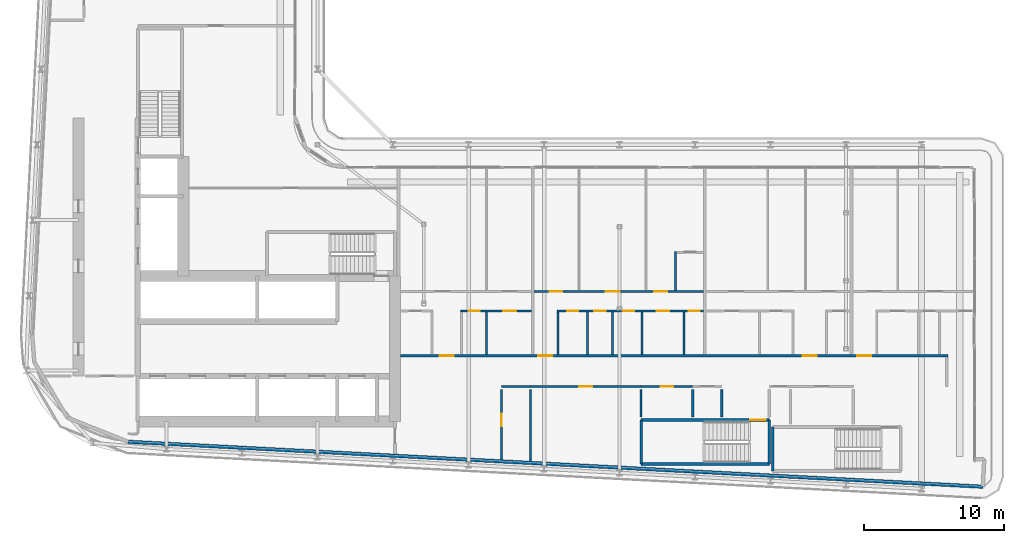
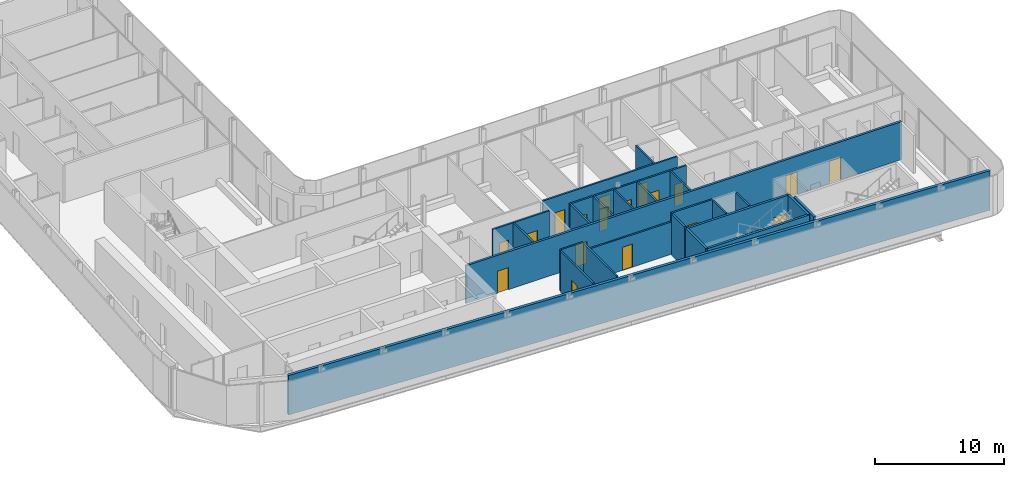
# One storey, part 16 of 29: 25 walls, 18 doors, 18 openings.
"""IFC4 building model written with IfcOpenShell, lengths in metres."""

from ifc_helpers import new_model, si_unit, direction, frame, frame_2d, origin, place, context, subcontext, project, spatial, rectangle, extrude, source, transform, mapped, material, layer, layer_set, type_object, element, fill, save


model = new_model("IFC4")

# Units and contexts
model_context = context("Model", 3, precision=1e-05, world=origin(), true_north=direction((0.0, 1.0)))
body_context = subcontext(model_context, "Body", "Model", "MODEL_VIEW")
ifc_project = project(units=[si_unit("LENGTHUNIT", "METRE"), si_unit("AREAUNIT", "SQUARE_METRE"), si_unit("VOLUMEUNIT", "CUBIC_METRE"), si_unit("PLANEANGLEUNIT", "RADIAN"), si_unit("MASSUNIT", "GRAM", prefix="KILO")], contexts=[model_context])

# Site, building, storey
site_placement = place(None, origin())
site = spatial("IfcSite", under=ifc_project, at=site_placement, CompositionType="ELEMENT")
building_placement = place(site_placement, origin())
building = spatial("IfcBuilding", under=site, at=building_placement, Name="Kheshtan School and Residences Tower", CompositionType="ELEMENT")
storey_placement = place(building_placement, frame((0.0, 0.0, 172.10009765625)))
storey = spatial("IfcBuildingStorey", under=building, at=storey_placement, Name="L40", CompositionType="ELEMENT", Elevation=172.10009765625)

# Wall, openings, doors
ifc_material_1 = material(Name="Gypsum board on steel studs with fire boards", Category="steel")
ifc_layer_1 = layer(ifc_material_1, 0.199951171875)
ifc_layer_set_1 = layer_set([ifc_layer_1], Name="Corridor wall 200")
wall_type_1 = type_object("IfcWallType", Name="Corridor wall 200", PredefinedType="PARTITIONING", material=ifc_layer_set_1)
wall_1_placement = place(storey_placement, frame((53.549072265625, 30.5, 0.0), z_axis=(0.0, 0.0, 1.0), x_axis=(1.0, 0.0, 0.0)))
wall_1 = element("IfcWall", 1, at=wall_1_placement, inside=storey, type_object=wall_type_1, Name="Partition L40-037", PredefinedType="PARTITIONING", context=body_context, shape_type="SweptSolid", body=[
    extrude(rectangle(XDim=39.15087890625, YDim=0.199951171875, at=frame_2d((19.575439453125, 0.0))), origin(), (0.0, 0.0, 1.0), 3.599853515625),
])
opening_1_placement = place(wall_1_placement, frame((2.801025390625, 0.0, 0.0)))
opening_1 = element("IfcOpeningElement", 2, at=opening_1_placement, cuts=wall_1, Name="Opening D39-003", PredefinedType="OPENING", context=body_context, shape_type="SweptSolid", body=[
    extrude(rectangle(XDim=1.0, YDim=2.10009765625, at=frame_2d((0.5, 1.050048828125))), frame((0.0, 0.10986328125, 0.0), z_axis=(0.0, -1.0, 0.0), x_axis=(1.0, 0.0, 0.0)), (0.0, 0.0, 1.0), 0.219970703125),
])
opening_2_placement = place(wall_1_placement, frame((9.85107421875, 0.0, 0.0)))
opening_2 = element("IfcOpeningElement", 3, at=opening_2_placement, cuts=wall_1, Name="Opening D39-010", PredefinedType="OPENING", context=body_context, shape_type="SweptSolid", body=[
    extrude(rectangle(XDim=1.0, YDim=2.10009765625, at=frame_2d((0.5, 1.050048828125))), frame((0.0, 0.10986328125, 0.0), z_axis=(0.0, -1.0, 0.0), x_axis=(1.0, 0.0, 0.0)), (0.0, 0.0, 1.0), 0.219970703125),
])
opening_3_placement = place(wall_1_placement, frame((28.7509765625, 0.0, 0.0)))
opening_3 = element("IfcOpeningElement", 4, at=opening_3_placement, cuts=wall_1, Name="Opening D39-019", PredefinedType="OPENING", context=body_context, shape_type="SweptSolid", body=[
    extrude(rectangle(XDim=1.0, YDim=2.10009765625, at=frame_2d((0.5, 1.050048828125))), frame((0.0, 0.10986328125, 0.0), z_axis=(0.0, -1.0, 0.0), x_axis=(1.0, 0.0, 0.0)), (0.0, 0.0, 1.0), 0.219970703125),
])
opening_4_placement = place(wall_1_placement, frame((32.65087890625, 0.0, 0.0)))
opening_4 = element("IfcOpeningElement", 5, at=opening_4_placement, cuts=wall_1, Name="Opening D39-026", PredefinedType="OPENING", context=body_context, shape_type="SweptSolid", body=[
    extrude(rectangle(XDim=1.0, YDim=2.10009765625, at=frame_2d((0.5, 1.050048828125))), frame((0.0, 0.10986328125, 0.0), z_axis=(0.0, -1.0, 0.0), x_axis=(1.0, 0.0, 0.0)), (0.0, 0.0, 1.0), 0.219970703125),
])
ifc_material_2 = material(Name="Steel-framed fire-resisting door leaf", Category="steel")
door_type_1 = type_object("IfcDoorType", Name="Fire door FD30S 1000 x 2100", OperationType="SINGLE_SWING_LEFT", PredefinedType="DOOR", material=ifc_material_2)
shared_shape_1 = source(origin(), body_context, "Body", "SweptSolid", [
    extrude(rectangle(XDim=1.0, YDim=2.10009765625, at=frame_2d((0.5, 1.050048828125))), frame((0.0, 0.02490234375, 0.0), z_axis=(0.0, -1.0, 0.0), x_axis=(1.0, 0.0, 0.0)), (0.0, 0.0, 1.0), 0.050048828125),
])
door_1_placement = place(opening_1_placement, origin())
door_1 = element("IfcDoor", 6, at=door_1_placement, inside=storey, type_object=door_type_1, Name="Door D39-003", OperationType="SINGLE_SWING_RIGHT", OverallHeight=2.10009765625, OverallWidth=1.0, PredefinedType="DOOR", context=body_context, shape_type="MappedRepresentation", body=[
    mapped(shared_shape_1, transform((0.0, 0.0, 0.0), x_axis=(1.0, 0.0, 0.0), y_axis=(0.0, 1.0, 0.0), z_axis=(0.0, 0.0, 1.0), scale=1.0)),
])
fill(opening_1, door_1)
door_2_placement = place(opening_2_placement, origin())
door_2 = element("IfcDoor", 7, at=door_2_placement, inside=storey, type_object=door_type_1, Name="Door D39-010", OperationType="SINGLE_SWING_LEFT", OverallHeight=2.10009765625, OverallWidth=1.0, PredefinedType="DOOR", context=body_context, shape_type="MappedRepresentation", body=[
    mapped(shared_shape_1, transform((0.0, 0.0, 0.0), x_axis=(1.0, 0.0, 0.0), y_axis=(0.0, 1.0, 0.0), z_axis=(0.0, 0.0, 1.0), scale=1.0)),
])
fill(opening_2, door_2)
door_3_placement = place(opening_3_placement, origin())
door_3 = element("IfcDoor", 8, at=door_3_placement, inside=storey, type_object=door_type_1, Name="Door D39-019", OperationType="SINGLE_SWING_RIGHT", OverallHeight=2.10009765625, OverallWidth=1.0, PredefinedType="DOOR", context=body_context, shape_type="MappedRepresentation", body=[
    mapped(shared_shape_1, transform((0.0, 0.0, 0.0), x_axis=(1.0, 0.0, 0.0), y_axis=(0.0, 1.0, 0.0), z_axis=(0.0, 0.0, 1.0), scale=1.0)),
])
fill(opening_3, door_3)
door_4_placement = place(opening_4_placement, origin())
door_4 = element("IfcDoor", 9, at=door_4_placement, inside=storey, type_object=door_type_1, Name="Door D39-026", OperationType="SINGLE_SWING_LEFT", OverallHeight=2.10009765625, OverallWidth=1.0, PredefinedType="DOOR", context=body_context, shape_type="MappedRepresentation", body=[
    mapped(shared_shape_1, transform((0.0, 0.0, 0.0), x_axis=(1.0, 0.0, 0.0), y_axis=(0.0, 1.0, 0.0), z_axis=(0.0, 0.0, 1.0), scale=1.0)),
])
fill(opening_4, door_4)

# Walls
ifc_material_3 = material(Name="Concrete C40/50 with ceramic cladding and mineral wool insulation", Category="concrete")
ifc_layer_2 = layer(ifc_material_3, 0.25)
ifc_layer_set_2 = layer_set([ifc_layer_2], Name="External wall 250 ceramic clad")
wall_type_2 = type_object("IfcWallType", Name="External wall 250 ceramic clad", PredefinedType="SOLIDWALL", material=ifc_layer_set_2)
wall_2_placement = place(storey_placement, frame((95.18603515625, 21.134033203125, 0.0), z_axis=(0.0, 0.0, 1.0), x_axis=(-0.998617201448, 0.052570761569, 0.0)))
element("IfcWall", 10, at=wall_2_placement, inside=storey, type_object=wall_type_2, Name="External wall L40 16", PredefinedType="SOLIDWALL", context=body_context, shape_type="SweptSolid", body=[
    extrude(rectangle(XDim=61.231689453125, YDim=0.25, at=frame_2d((30.61572265625, 0.0))), origin(), (0.0, 0.0, 1.0), 3.75),
])
ifc_material_4 = material(Name="Fire-board shaft wall system")
ifc_layer_3 = layer(ifc_material_4, 0.14990234375)
ifc_layer_set_3 = layer_set([ifc_layer_3], Name="Service room wall 150")
wall_type_3 = type_object("IfcWallType", Name="Service room wall 150", PredefinedType="PARTITIONING", material=ifc_layer_set_3)
wall_3_placement = place(storey_placement, frame((60.75, 28.300048828125, 0.0), z_axis=(0.0, 0.0, 1.0), x_axis=(1.0, 0.0, 0.0)))
element("IfcWall", 11, at=wall_3_placement, inside=storey, type_object=wall_type_3, Name="Service room wall", PredefinedType="PARTITIONING", context=body_context, shape_type="SweptSolid", body=[
    extrude(rectangle(XDim=2.069091796875, YDim=0.14990234375, at=frame_2d((1.03466796875, 0.0))), origin(), (0.0, 0.0, 1.0), 3.89990234375),
])

# Wall, opening, door
wall_4_placement = place(storey_placement, frame((60.75, 23.074951171875, 0.0), z_axis=(0.0, 0.0, 1.0), x_axis=(0.0, 1.0, 0.0)))
wall_4 = element("IfcWall", 12, at=wall_4_placement, inside=storey, type_object=wall_type_3, Name="Service room wall", PredefinedType="PARTITIONING", context=body_context, shape_type="SweptSolid", body=[
    extrude(rectangle(XDim=5.030029296875, YDim=0.14990234375, at=frame_2d((2.51513671875, 0.0))), origin(), (0.0, 0.0, 1.0), 3.89990234375),
])
opening_5_placement = place(wall_4_placement, frame((2.386962890625, 0.0, 0.0)))
opening_5 = element("IfcOpeningElement", 13, at=opening_5_placement, cuts=wall_4, Name="Opening SR90", PredefinedType="OPENING", context=body_context, shape_type="SweptSolid", body=[
    extrude(rectangle(XDim=0.89990234375, YDim=2.199951171875, at=frame_2d((0.449951171875, 1.10009765625))), frame((0.0, 0.0849609375, 0.0), z_axis=(0.0, -1.0, 0.0), x_axis=(1.0, 0.0, 0.0)), (0.0, 0.0, 1.0), 0.169921875),
])
ifc_material_5 = material(Name="Steel door leaf, galvanised", Category="steel")
door_type_2 = type_object("IfcDoorType", Name="Service room door 900 steel 90 min", OperationType="SINGLE_SWING_LEFT", PredefinedType="DOOR", material=ifc_material_5)
shared_shape_2 = source(origin(), body_context, "Body", "SweptSolid", [
    extrude(rectangle(XDim=0.89990234375, YDim=2.199951171875, at=frame_2d((0.449951171875, 1.10009765625))), frame((0.0, 0.02490234375, 0.0), z_axis=(0.0, -1.0, 0.0), x_axis=(1.0, 0.0, 0.0)), (0.0, 0.0, 1.0), 0.050048828125),
])
door_5_placement = place(opening_5_placement, origin())
door_5 = element("IfcDoor", 14, at=door_5_placement, inside=storey, type_object=door_type_2, Name="Service room door", OperationType="SINGLE_SWING_LEFT", OverallHeight=2.199951171875, OverallWidth=0.89990234375, PredefinedType="DOOR", context=body_context, shape_type="MappedRepresentation", body=[
    mapped(shared_shape_2, transform((0.0, 0.0, 0.0), x_axis=(1.0, 0.0, 0.0), y_axis=(0.0, 1.0, 0.0), z_axis=(0.0, 0.0, 1.0), scale=1.0)),
])
fill(opening_5, door_5)

# Wall
wall_5_placement = place(storey_placement, frame((62.819091796875, 22.966064453125, 0.0), z_axis=(0.0, 0.0, 1.0), x_axis=(0.0, 1.0, 0.0)))
element("IfcWall", 15, at=wall_5_placement, inside=storey, type_object=wall_type_3, Name="Service room wall", PredefinedType="PARTITIONING", context=body_context, shape_type="SweptSolid", body=[
    extrude(rectangle(XDim=5.138916015625, YDim=0.14990234375, at=frame_2d((2.5693359375, 0.0))), origin(), (0.0, 0.0, 1.0), 3.89990234375),
])

# Wall, opening, door
wall_6_placement = place(storey_placement, frame((62.819091796875, 28.300048828125, 0.0), z_axis=(0.0, 0.0, 1.0), x_axis=(1.0, 0.0, 0.0)))
wall_6 = element("IfcWall", 16, at=wall_6_placement, inside=storey, type_object=wall_type_3, Name="Service room wall", PredefinedType="PARTITIONING", context=body_context, shape_type="SweptSolid", body=[
    extrude(rectangle(XDim=7.930908203125, YDim=0.14990234375, at=frame_2d((3.96533203125, 0.0))), origin(), (0.0, 0.0, 1.0), 3.072021484375),
])
opening_6_placement = place(wall_6_placement, frame((3.514892578125, 0.0, 0.0)))
opening_6 = element("IfcOpeningElement", 17, at=opening_6_placement, cuts=wall_6, Name="Opening SR90", PredefinedType="OPENING", context=body_context, shape_type="SweptSolid", body=[
    extrude(rectangle(XDim=0.89990234375, YDim=2.199951171875, at=frame_2d((0.449951171875, 1.10009765625))), frame((0.0, 0.0849609375, 0.0), z_axis=(0.0, -1.0, 0.0), x_axis=(1.0, 0.0, 0.0)), (0.0, 0.0, 1.0), 0.169921875),
])
door_6_placement = place(opening_6_placement, origin())
door_6 = element("IfcDoor", 18, at=door_6_placement, inside=storey, type_object=door_type_2, Name="Service room door", OperationType="SINGLE_SWING_RIGHT", OverallHeight=2.199951171875, OverallWidth=0.89990234375, PredefinedType="DOOR", context=body_context, shape_type="MappedRepresentation", body=[
    mapped(shared_shape_2, transform((0.0, 0.0, 0.0), x_axis=(1.0, 0.0, 0.0), y_axis=(0.0, 1.0, 0.0), z_axis=(0.0, 0.0, 1.0), scale=1.0)),
])
fill(opening_6, door_6)

# Wall
wall_7_placement = place(storey_placement, frame((70.75, 26.1201171875, 0.0), z_axis=(0.0, 0.0, 1.0), x_axis=(0.0, 1.0, 0.0)))
element("IfcWall", 19, at=wall_7_placement, inside=storey, type_object=wall_type_3, Name="Service room wall", PredefinedType="PARTITIONING", context=body_context, shape_type="SweptSolid", body=[
    extrude(rectangle(XDim=1.98486328125, YDim=0.14990234375, at=frame_2d((0.992431640625, 0.0))), origin(), (0.0, 0.0, 1.0), 3.89990234375),
])

# Wall, opening, door
wall_8_placement = place(storey_placement, frame((70.75, 28.300048828125, 0.0), z_axis=(0.0, 0.0, 1.0), x_axis=(1.0, 0.0, 0.0)))
wall_8 = element("IfcWall", 20, at=wall_8_placement, inside=storey, type_object=wall_type_3, Name="Service room wall", PredefinedType="PARTITIONING", context=body_context, shape_type="SweptSolid", body=[
    extrude(rectangle(XDim=3.68603515625, YDim=0.14990234375, at=frame_2d((1.843017578125, 0.0))), origin(), (0.0, 0.0, 1.0), 3.89990234375),
])
opening_7_placement = place(wall_8_placement, frame((1.39306640625, 0.0, 0.0)))
opening_7 = element("IfcOpeningElement", 21, at=opening_7_placement, cuts=wall_8, Name="Opening SR90", PredefinedType="OPENING", context=body_context, shape_type="SweptSolid", body=[
    extrude(rectangle(XDim=0.89990234375, YDim=2.199951171875, at=frame_2d((0.449951171875, 1.10009765625))), frame((0.0, 0.0849609375, 0.0), z_axis=(0.0, -1.0, 0.0), x_axis=(1.0, 0.0, 0.0)), (0.0, 0.0, 1.0), 0.169921875),
])
door_7_placement = place(opening_7_placement, origin())
door_7 = element("IfcDoor", 22, at=door_7_placement, inside=storey, type_object=door_type_2, Name="Service room door", OperationType="SINGLE_SWING_LEFT", OverallHeight=2.199951171875, OverallWidth=0.89990234375, PredefinedType="DOOR", context=body_context, shape_type="MappedRepresentation", body=[
    mapped(shared_shape_2, transform((0.0, 0.0, 0.0), x_axis=(1.0, 0.0, 0.0), y_axis=(0.0, 1.0, 0.0), z_axis=(0.0, 0.0, 1.0), scale=1.0)),
])
fill(opening_7, door_7)

# Walls
for number, where, z_axis, x_axis, name in (
    (23, (74.43603515625, 26.1201171875, 0.0), (0.0, 0.0, 1.0), (0.0, 1.0, 0.0), "Service room wall"),
    (24, (76.510009765625, 26.1201171875, 0.0), (0.0, 0.0, 1.0), (0.0, 1.0, 0.0), "Service room wall"),
):
    element("IfcWall", number, at=place(storey_placement, frame(where, z_axis=z_axis, x_axis=x_axis)), inside=storey, type_object=wall_type_3, Name=name, PredefinedType="PARTITIONING", context=body_context, shape_type="SweptSolid", body=[
        extrude(rectangle(XDim=1.98486328125, YDim=0.14990234375, at=frame_2d((0.992431640625, 0.0))), origin(), (0.0, 0.0, 1.0), 3.89990234375),
    ])
ifc_material_6 = material(Name="Concrete C40/50", Category="concrete")
ifc_layer_4 = layer(ifc_material_6, 0.199951171875)
ifc_layer_set_4 = layer_set([ifc_layer_4], Name="Stair enclosure wall 200 Concrete C40/50")
wall_type_4 = type_object("IfcWallType", Name="Stair enclosure wall 200 Concrete C40/50", PredefinedType="SHEAR", material=ifc_layer_set_4)
wall_9_placement = place(storey_placement, frame((80.159912109375, 22.25, 0.0), z_axis=(0.0, 0.0, 1.0), x_axis=(0.0, 1.0, 0.0)))
element("IfcWall", 25, at=wall_9_placement, inside=storey, type_object=wall_type_4, Name="Stair enclosure wall ST4", PredefinedType="SHEAR", context=body_context, shape_type="SweptSolid", body=[
    extrude(rectangle(XDim=3.14990234375, YDim=0.199951171875, at=frame_2d((1.574951171875, 0.0))), origin(), (0.0, 0.0, 1.0), 3.89990234375),
])
wall_10_placement = place(storey_placement, frame((70.75, 22.75, 0.0), z_axis=(0.0, 0.0, 1.0), x_axis=(1.0, 0.0, 0.0)))
element("IfcWall", 26, at=wall_10_placement, inside=storey, type_object=wall_type_4, Name="Stair enclosure wall ST5", PredefinedType="SHEAR", context=body_context, shape_type="SweptSolid", body=[
    extrude(rectangle(XDim=9.159912109375, YDim=0.199951171875, at=frame_2d((4.580078125, 0.0))), origin(), (0.0, 0.0, 1.0), 3.89990234375),
])

# Wall, opening, door
wall_11_placement = place(storey_placement, frame((70.75, 25.89990234375, 0.0), z_axis=(0.0, 0.0, 1.0), x_axis=(1.0, 0.0, 0.0)))
wall_11 = element("IfcWall", 27, at=wall_11_placement, inside=storey, type_object=wall_type_4, Name="Stair enclosure wall ST5", PredefinedType="SHEAR", context=body_context, shape_type="SweptSolid", body=[
    extrude(rectangle(XDim=9.159912109375, YDim=0.199951171875, at=frame_2d((4.580078125, 0.0))), origin(), (0.0, 0.0, 1.0), 3.89990234375),
])
opening_8_placement = place(wall_11_placement, frame((7.81005859375, 0.0, 0.0)))
opening_8 = element("IfcOpeningElement", 28, at=opening_8_placement, cuts=wall_11, Name="Opening ST5D", PredefinedType="OPENING", context=body_context, shape_type="SweptSolid", body=[
    extrude(rectangle(XDim=1.10009765625, YDim=2.199951171875, at=frame_2d((0.550048828125, 1.10009765625))), frame((0.0, 0.10986328125, 0.0), z_axis=(0.0, -1.0, 0.0), x_axis=(1.0, 0.0, 0.0)), (0.0, 0.0, 1.0), 0.219970703125),
])
door_type_3 = type_object("IfcDoorType", Name="Stair door 1100 steel 90 min", OperationType="SINGLE_SWING_LEFT", PredefinedType="DOOR", material=ifc_material_5)
shared_shape_3 = source(origin(), body_context, "Body", "SweptSolid", [
    extrude(rectangle(XDim=1.10009765625, YDim=2.199951171875, at=frame_2d((0.550048828125, 1.10009765625))), frame((0.0, 0.02490234375, 0.0), z_axis=(0.0, -1.0, 0.0), x_axis=(1.0, 0.0, 0.0)), (0.0, 0.0, 1.0), 0.050048828125),
])
door_8_placement = place(opening_8_placement, origin())
door_8 = element("IfcDoor", 29, at=door_8_placement, inside=storey, type_object=door_type_3, Name="Stair ST5 door", OperationType="SINGLE_SWING_LEFT", OverallHeight=2.199951171875, OverallWidth=1.10009765625, PredefinedType="DOOR", context=body_context, shape_type="MappedRepresentation", body=[
    mapped(shared_shape_3, transform((0.0, 0.0, 0.0), x_axis=(1.0, 0.0, 0.0), y_axis=(0.0, 1.0, 0.0), z_axis=(0.0, 0.0, 1.0), scale=1.0)),
])
fill(opening_8, door_8)

# Walls
for number, where, z_axis, x_axis, name in (
    (30, (70.75, 22.75, 0.0), (0.0, 0.0, 1.0), (0.0, 1.0, 0.0), "Stair enclosure wall ST5"),
    (31, (79.909912109375, 22.75, 0.0), (0.0, 0.0, 1.0), (0.0, 1.0, 0.0), "Stair enclosure wall ST5"),
):
    element("IfcWall", number, at=place(storey_placement, frame(where, z_axis=z_axis, x_axis=x_axis)), inside=storey, type_object=wall_type_4, Name=name, PredefinedType="SHEAR", context=body_context, shape_type="SweptSolid", body=[
        extrude(rectangle(XDim=3.14990234375, YDim=0.199951171875, at=frame_2d((1.574951171875, 0.0))), origin(), (0.0, 0.0, 1.0), 3.89990234375),
    ])

# Wall, openings, doors
ifc_material_7 = material(Name="Moisture-resistant gypsum board on steel studs", Category="steel")
ifc_layer_5 = layer(ifc_material_7, 0.14990234375)
ifc_layer_set_5 = layer_set([ifc_layer_5], Name="Wet-room partition 150")
wall_type_5 = type_object("IfcWallType", Name="Wet-room partition 150", PredefinedType="PARTITIONING", material=ifc_layer_set_5)
wall_12_placement = place(storey_placement, frame((57.824951171875, 33.699951171875, 0.0), z_axis=(0.0, 0.0, 1.0), x_axis=(1.0, 0.0, 0.0)))
wall_12 = element("IfcWall", 32, at=wall_12_placement, inside=storey, type_object=wall_type_5, Name="Partition L40-041", PredefinedType="PARTITIONING", context=body_context, shape_type="SweptSolid", body=[
    extrude(rectangle(XDim=5.074951171875, YDim=0.14990234375, at=frame_2d((2.53759765625, 0.0))), origin(), (0.0, 0.0, 1.0), 3.599853515625),
])
opening_9_placement = place(wall_12_placement, frame((3.074951171875, 0.0, 0.0)))
opening_9 = element("IfcOpeningElement", 33, at=opening_9_placement, cuts=wall_12, Name="Opening D39-004", PredefinedType="OPENING", context=body_context, shape_type="SweptSolid", body=[
    extrude(rectangle(XDim=0.89990234375, YDim=2.10009765625, at=frame_2d((0.449951171875, 1.050048828125))), frame((0.0, 0.0849609375, 0.0), z_axis=(0.0, -1.0, 0.0), x_axis=(1.0, 0.0, 0.0)), (0.0, 0.0, 1.0), 0.169921875),
])
opening_10_placement = place(wall_12_placement, frame((0.574951171875, 0.0, 0.0)))
opening_10 = element("IfcOpeningElement", 34, at=opening_10_placement, cuts=wall_12, Name="Opening D39-006", PredefinedType="OPENING", context=body_context, shape_type="SweptSolid", body=[
    extrude(rectangle(XDim=0.800048828125, YDim=2.10009765625, at=frame_2d((0.39990234375, 1.050048828125))), frame((0.0, 0.0849609375, 0.0), z_axis=(0.0, -1.0, 0.0), x_axis=(1.0, 0.0, 0.0)), (0.0, 0.0, 1.0), 0.169921875),
])
ifc_material_8 = material(Name="Veneered timber door leaf", Category="wood")
door_type_4 = type_object("IfcDoorType", Name="Door 800 x 2100", OperationType="SINGLE_SWING_LEFT", PredefinedType="DOOR", material=ifc_material_8)
shared_shape_4 = source(origin(), body_context, "Body", "SweptSolid", [
    extrude(rectangle(XDim=0.800048828125, YDim=2.10009765625, at=frame_2d((0.39990234375, 1.050048828125))), frame((0.0, 0.02490234375, 0.0), z_axis=(0.0, -1.0, 0.0), x_axis=(1.0, 0.0, 0.0)), (0.0, 0.0, 1.0), 0.050048828125),
])
door_9_placement = place(opening_10_placement, origin())
door_9 = element("IfcDoor", 35, at=door_9_placement, inside=storey, type_object=door_type_4, Name="Door D39-006", OperationType="SINGLE_SWING_LEFT", OverallHeight=2.10009765625, OverallWidth=0.800048828125, PredefinedType="DOOR", context=body_context, shape_type="MappedRepresentation", body=[
    mapped(shared_shape_4, transform((0.0, 0.0, 0.0), x_axis=(1.0, 0.0, 0.0), y_axis=(0.0, 1.0, 0.0), z_axis=(0.0, 0.0, 1.0), scale=1.0)),
])
fill(opening_10, door_9)
door_type_5 = type_object("IfcDoorType", Name="Door 900 x 2100", OperationType="SINGLE_SWING_LEFT", PredefinedType="DOOR", material=ifc_material_8)
shared_shape_5 = source(origin(), body_context, "Body", "SweptSolid", [
    extrude(rectangle(XDim=0.89990234375, YDim=2.10009765625, at=frame_2d((0.449951171875, 1.050048828125))), frame((0.0, 0.02490234375, 0.0), z_axis=(0.0, -1.0, 0.0), x_axis=(1.0, 0.0, 0.0)), (0.0, 0.0, 1.0), 0.050048828125),
])
door_10_placement = place(opening_9_placement, origin())
door_10 = element("IfcDoor", 36, at=door_10_placement, inside=storey, type_object=door_type_5, Name="Door D39-004", OperationType="SINGLE_SWING_RIGHT", OverallHeight=2.10009765625, OverallWidth=0.89990234375, PredefinedType="DOOR", context=body_context, shape_type="MappedRepresentation", body=[
    mapped(shared_shape_5, transform((0.0, 0.0, 0.0), x_axis=(1.0, 0.0, 0.0), y_axis=(0.0, 1.0, 0.0), z_axis=(0.0, 0.0, 1.0), scale=1.0)),
])
fill(opening_9, door_10)

# Wall
wall_13_placement = place(storey_placement, frame((59.699951171875, 30.60009765625, 0.0), z_axis=(0.0, 0.0, 1.0), x_axis=(0.0, 1.0, 0.0)))
element("IfcWall", 37, at=wall_13_placement, inside=storey, type_object=wall_type_5, Name="Partition L40-043", PredefinedType="PARTITIONING", context=body_context, shape_type="SweptSolid", body=[
    extrude(rectangle(XDim=3.02490234375, YDim=0.14990234375, at=frame_2d((1.512451171875, 0.0))), origin(), (0.0, 0.0, 1.0), 3.599853515625),
])

# Wall, openings, doors
wall_14_placement = place(storey_placement, frame((63.10009765625, 35.10009765625, 0.0), z_axis=(0.0, 0.0, 1.0), x_axis=(1.0, 0.0, 0.0)))
wall_14 = element("IfcWall", 38, at=wall_14_placement, inside=storey, type_object=wall_type_5, Name="Partition L40-046", PredefinedType="PARTITIONING", context=body_context, shape_type="SweptSolid", body=[
    extrude(rectangle(XDim=12.099853515625, YDim=0.14990234375, at=frame_2d((6.0498046875, 0.0))), origin(), (0.0, 0.0, 1.0), 3.599853515625),
])
opening_11_placement = place(wall_14_placement, frame((1.10009765625, 0.0, 0.0)))
opening_11 = element("IfcOpeningElement", 39, at=opening_11_placement, cuts=wall_14, Name="Opening D39-008", PredefinedType="OPENING", context=body_context, shape_type="SweptSolid", body=[
    extrude(rectangle(XDim=0.89990234375, YDim=2.10009765625, at=frame_2d((0.449951171875, 1.050048828125))), frame((0.0, 0.0849609375, 0.0), z_axis=(0.0, -1.0, 0.0), x_axis=(1.0, 0.0, 0.0)), (0.0, 0.0, 1.0), 0.169921875),
])
opening_12_placement = place(wall_14_placement, frame((5.10009765625, 0.0, 0.0)))
opening_12 = element("IfcOpeningElement", 40, at=opening_12_placement, cuts=wall_14, Name="Opening D39-013", PredefinedType="OPENING", context=body_context, shape_type="SweptSolid", body=[
    extrude(rectangle(XDim=1.0, YDim=2.10009765625, at=frame_2d((0.5, 1.050048828125))), frame((0.0, 0.0849609375, 0.0), z_axis=(0.0, -1.0, 0.0), x_axis=(1.0, 0.0, 0.0)), (0.0, 0.0, 1.0), 0.169921875),
])
opening_13_placement = place(wall_14_placement, frame((8.60009765625, 0.0, 0.0)))
opening_13 = element("IfcOpeningElement", 41, at=opening_13_placement, cuts=wall_14, Name="Opening D39-014", PredefinedType="OPENING", context=body_context, shape_type="SweptSolid", body=[
    extrude(rectangle(XDim=0.89990234375, YDim=2.10009765625, at=frame_2d((0.449951171875, 1.050048828125))), frame((0.0, 0.0849609375, 0.0), z_axis=(0.0, -1.0, 0.0), x_axis=(1.0, 0.0, 0.0)), (0.0, 0.0, 1.0), 0.169921875),
])
door_type_6 = type_object("IfcDoorType", Name="Door 1000 x 2100", OperationType="SINGLE_SWING_LEFT", PredefinedType="DOOR", material=ifc_material_8)
shared_shape_6 = source(origin(), body_context, "Body", "SweptSolid", [
    extrude(rectangle(XDim=1.0, YDim=2.10009765625, at=frame_2d((0.5, 1.050048828125))), frame((0.0, 0.02490234375, 0.0), z_axis=(0.0, -1.0, 0.0), x_axis=(1.0, 0.0, 0.0)), (0.0, 0.0, 1.0), 0.050048828125),
])
door_11_placement = place(opening_12_placement, origin())
door_11 = element("IfcDoor", 42, at=door_11_placement, inside=storey, type_object=door_type_6, Name="Door D39-013", OperationType="SINGLE_SWING_RIGHT", OverallHeight=2.10009765625, OverallWidth=1.0, PredefinedType="DOOR", context=body_context, shape_type="MappedRepresentation", body=[
    mapped(shared_shape_6, transform((0.0, 0.0, 0.0), x_axis=(1.0, 0.0, 0.0), y_axis=(0.0, 1.0, 0.0), z_axis=(0.0, 0.0, 1.0), scale=1.0)),
])
fill(opening_12, door_11)
door_12_placement = place(opening_11_placement, origin())
door_12 = element("IfcDoor", 43, at=door_12_placement, inside=storey, type_object=door_type_5, Name="Door D39-008", OperationType="SINGLE_SWING_RIGHT", OverallHeight=2.10009765625, OverallWidth=0.89990234375, PredefinedType="DOOR", context=body_context, shape_type="MappedRepresentation", body=[
    mapped(shared_shape_5, transform((0.0, 0.0, 0.0), x_axis=(1.0, 0.0, 0.0), y_axis=(0.0, 1.0, 0.0), z_axis=(0.0, 0.0, 1.0), scale=1.0)),
])
fill(opening_11, door_12)
door_13_placement = place(opening_13_placement, origin())
door_13 = element("IfcDoor", 44, at=door_13_placement, inside=storey, type_object=door_type_5, Name="Door D39-014", OperationType="SINGLE_SWING_LEFT", OverallHeight=2.10009765625, OverallWidth=0.89990234375, PredefinedType="DOOR", context=body_context, shape_type="MappedRepresentation", body=[
    mapped(shared_shape_5, transform((0.0, 0.0, 0.0), x_axis=(1.0, 0.0, 0.0), y_axis=(0.0, 1.0, 0.0), z_axis=(0.0, 0.0, 1.0), scale=1.0)),
])
fill(opening_13, door_13)

wall_15_placement = place(storey_placement, frame((64.72509765625, 33.699951171875, 0.0), z_axis=(0.0, 0.0, 1.0), x_axis=(1.0, 0.0, 0.0)))
wall_15 = element("IfcWall", 45, at=wall_15_placement, inside=storey, type_object=wall_type_5, Name="Partition L40-047", PredefinedType="PARTITIONING", context=body_context, shape_type="SweptSolid", body=[
    extrude(rectangle(XDim=10.474853515625, YDim=0.14990234375, at=frame_2d((5.2373046875, 0.0))), origin(), (0.0, 0.0, 1.0), 3.599853515625),
])
opening_14_placement = place(wall_15_placement, frame((0.72509765625, 0.0, 0.0)))
opening_14 = element("IfcOpeningElement", 46, at=opening_14_placement, cuts=wall_15, Name="Opening D39-007", PredefinedType="OPENING", context=body_context, shape_type="SweptSolid", body=[
    extrude(rectangle(XDim=0.800048828125, YDim=2.10009765625, at=frame_2d((0.39990234375, 1.050048828125))), frame((0.0, 0.0849609375, 0.0), z_axis=(0.0, -1.0, 0.0), x_axis=(1.0, 0.0, 0.0)), (0.0, 0.0, 1.0), 0.169921875),
])
opening_15_placement = place(wall_15_placement, frame((7.125, 0.0, 0.0)))
opening_15 = element("IfcOpeningElement", 47, at=opening_15_placement, cuts=wall_15, Name="Opening D39-011", PredefinedType="OPENING", context=body_context, shape_type="SweptSolid", body=[
    extrude(rectangle(XDim=0.89990234375, YDim=2.10009765625, at=frame_2d((0.449951171875, 1.050048828125))), frame((0.0, 0.0849609375, 0.0), z_axis=(0.0, -1.0, 0.0), x_axis=(1.0, 0.0, 0.0)), (0.0, 0.0, 1.0), 0.169921875),
])
opening_16_placement = place(wall_15_placement, frame((4.72509765625, 0.0, 0.0)))
opening_16 = element("IfcOpeningElement", 48, at=opening_16_placement, cuts=wall_15, Name="Opening D39-012", PredefinedType="OPENING", context=body_context, shape_type="SweptSolid", body=[
    extrude(rectangle(XDim=0.800048828125, YDim=2.10009765625, at=frame_2d((0.39990234375, 1.050048828125))), frame((0.0, 0.0849609375, 0.0), z_axis=(0.0, -1.0, 0.0), x_axis=(1.0, 0.0, 0.0)), (0.0, 0.0, 1.0), 0.169921875),
])
opening_17_placement = place(wall_15_placement, frame((2.675048828125, 0.0, 0.0)))
opening_17 = element("IfcOpeningElement", 49, at=opening_17_placement, cuts=wall_15, Name="Opening D39-015", PredefinedType="OPENING", context=body_context, shape_type="SweptSolid", body=[
    extrude(rectangle(XDim=0.800048828125, YDim=2.10009765625, at=frame_2d((0.39990234375, 1.050048828125))), frame((0.0, 0.0849609375, 0.0), z_axis=(0.0, -1.0, 0.0), x_axis=(1.0, 0.0, 0.0)), (0.0, 0.0, 1.0), 0.169921875),
])
opening_18_placement = place(wall_15_placement, frame((9.425048828125, 0.0, 0.0)))
opening_18 = element("IfcOpeningElement", 50, at=opening_18_placement, cuts=wall_15, Name="Opening D39-016", PredefinedType="OPENING", context=body_context, shape_type="SweptSolid", body=[
    extrude(rectangle(XDim=0.800048828125, YDim=2.10009765625, at=frame_2d((0.39990234375, 1.050048828125))), frame((0.0, 0.0849609375, 0.0), z_axis=(0.0, -1.0, 0.0), x_axis=(1.0, 0.0, 0.0)), (0.0, 0.0, 1.0), 0.169921875),
])
door_14_placement = place(opening_14_placement, origin())
door_14 = element("IfcDoor", 51, at=door_14_placement, inside=storey, type_object=door_type_4, Name="Door D39-007", OperationType="SINGLE_SWING_RIGHT", OverallHeight=2.10009765625, OverallWidth=0.800048828125, PredefinedType="DOOR", context=body_context, shape_type="MappedRepresentation", body=[
    mapped(shared_shape_4, transform((0.0, 0.0, 0.0), x_axis=(1.0, 0.0, 0.0), y_axis=(0.0, 1.0, 0.0), z_axis=(0.0, 0.0, 1.0), scale=1.0)),
])
fill(opening_14, door_14)
door_15_placement = place(opening_16_placement, origin())
door_15 = element("IfcDoor", 52, at=door_15_placement, inside=storey, type_object=door_type_4, Name="Door D39-012", OperationType="SINGLE_SWING_LEFT", OverallHeight=2.10009765625, OverallWidth=0.800048828125, PredefinedType="DOOR", context=body_context, shape_type="MappedRepresentation", body=[
    mapped(shared_shape_4, transform((0.0, 0.0, 0.0), x_axis=(1.0, 0.0, 0.0), y_axis=(0.0, 1.0, 0.0), z_axis=(0.0, 0.0, 1.0), scale=1.0)),
])
fill(opening_16, door_15)
door_16_placement = place(opening_17_placement, origin())
door_16 = element("IfcDoor", 53, at=door_16_placement, inside=storey, type_object=door_type_4, Name="Door D39-015", OperationType="SINGLE_SWING_RIGHT", OverallHeight=2.10009765625, OverallWidth=0.800048828125, PredefinedType="DOOR", context=body_context, shape_type="MappedRepresentation", body=[
    mapped(shared_shape_4, transform((0.0, 0.0, 0.0), x_axis=(1.0, 0.0, 0.0), y_axis=(0.0, 1.0, 0.0), z_axis=(0.0, 0.0, 1.0), scale=1.0)),
])
fill(opening_17, door_16)
door_17_placement = place(opening_18_placement, origin())
door_17 = element("IfcDoor", 54, at=door_17_placement, inside=storey, type_object=door_type_4, Name="Door D39-016", OperationType="SINGLE_SWING_LEFT", OverallHeight=2.10009765625, OverallWidth=0.800048828125, PredefinedType="DOOR", context=body_context, shape_type="MappedRepresentation", body=[
    mapped(shared_shape_4, transform((0.0, 0.0, 0.0), x_axis=(1.0, 0.0, 0.0), y_axis=(0.0, 1.0, 0.0), z_axis=(0.0, 0.0, 1.0), scale=1.0)),
])
fill(opening_18, door_17)
door_18_placement = place(opening_15_placement, origin())
door_18 = element("IfcDoor", 55, at=door_18_placement, inside=storey, type_object=door_type_5, Name="Door D39-011", OperationType="SINGLE_SWING_RIGHT", OverallHeight=2.10009765625, OverallWidth=0.89990234375, PredefinedType="DOOR", context=body_context, shape_type="MappedRepresentation", body=[
    mapped(shared_shape_5, transform((0.0, 0.0, 0.0), x_axis=(1.0, 0.0, 0.0), y_axis=(0.0, 1.0, 0.0), z_axis=(0.0, 0.0, 1.0), scale=1.0)),
])
fill(opening_15, door_18)

# Walls
for number, where, z_axis, x_axis, name in (
    (56, (64.800048828125, 30.60009765625, 0.0), (0.0, 0.0, 1.0), (0.0, 1.0, 0.0), "Partition L40-048"),
    (57, (66.89990234375, 30.60009765625, 0.0), (0.0, 0.0, 1.0), (0.0, 1.0, 0.0), "Partition L40-050"),
    (58, (68.699951171875, 30.60009765625, 0.0), (0.0, 0.0, 1.0), (0.0, 1.0, 0.0), "Partition L40-051"),
    (59, (70.800048828125, 30.60009765625, 0.0), (0.0, 0.0, 1.0), (0.0, 1.0, 0.0), "Partition L40-052"),
):
    element("IfcWall", number, at=place(storey_placement, frame(where, z_axis=z_axis, x_axis=x_axis)), inside=storey, type_object=wall_type_5, Name=name, PredefinedType="PARTITIONING", context=body_context, shape_type="SweptSolid", body=[
        extrude(rectangle(XDim=3.02490234375, YDim=0.14990234375, at=frame_2d((1.512451171875, 0.0))), origin(), (0.0, 0.0, 1.0), 3.599853515625),
    ])
wall_16_placement = place(storey_placement, frame((73.199951171875, 35.175048828125, 0.0), z_axis=(0.0, 0.0, 1.0), x_axis=(0.0, 1.0, 0.0)))
element("IfcWall", 60, at=wall_16_placement, inside=storey, type_object=wall_type_5, Name="Partition L40-054", PredefinedType="PARTITIONING", context=body_context, shape_type="SweptSolid", body=[
    extrude(rectangle(XDim=2.800048828125, YDim=0.14990234375, at=frame_2d((1.39990234375, 0.0))), origin(), (0.0, 0.0, 1.0), 3.599853515625),
])
wall_17_placement = place(storey_placement, frame((73.800048828125, 30.60009765625, 0.0), z_axis=(0.0, 0.0, 1.0), x_axis=(0.0, 1.0, 0.0)))
element("IfcWall", 61, at=wall_17_placement, inside=storey, type_object=wall_type_5, Name="Partition L40-056", PredefinedType="PARTITIONING", context=body_context, shape_type="SweptSolid", body=[
    extrude(rectangle(XDim=3.02490234375, YDim=0.14990234375, at=frame_2d((1.512451171875, 0.0))), origin(), (0.0, 0.0, 1.0), 3.599853515625),
])

save(model, "model.ifc")
